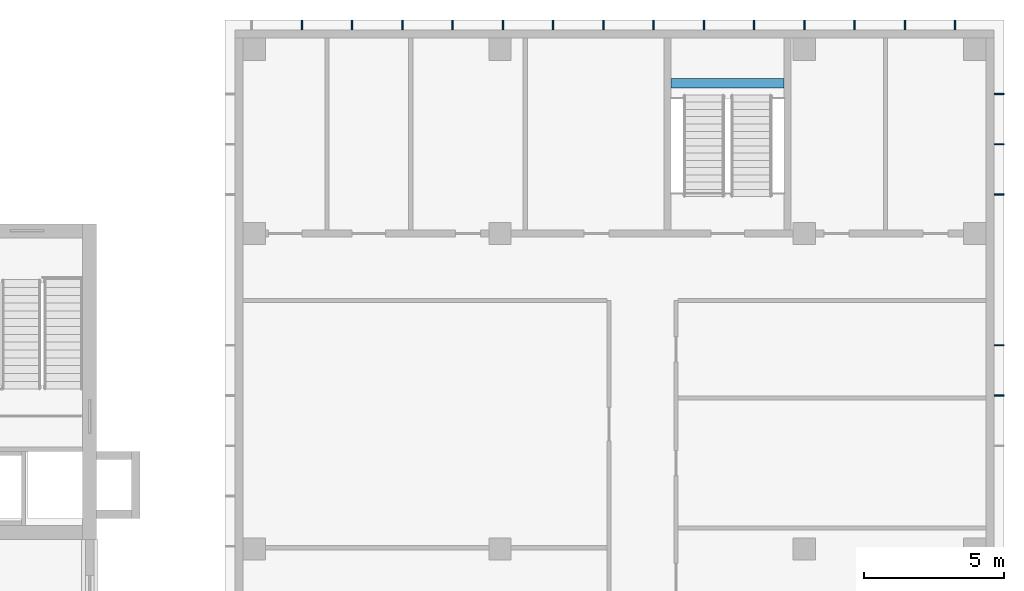
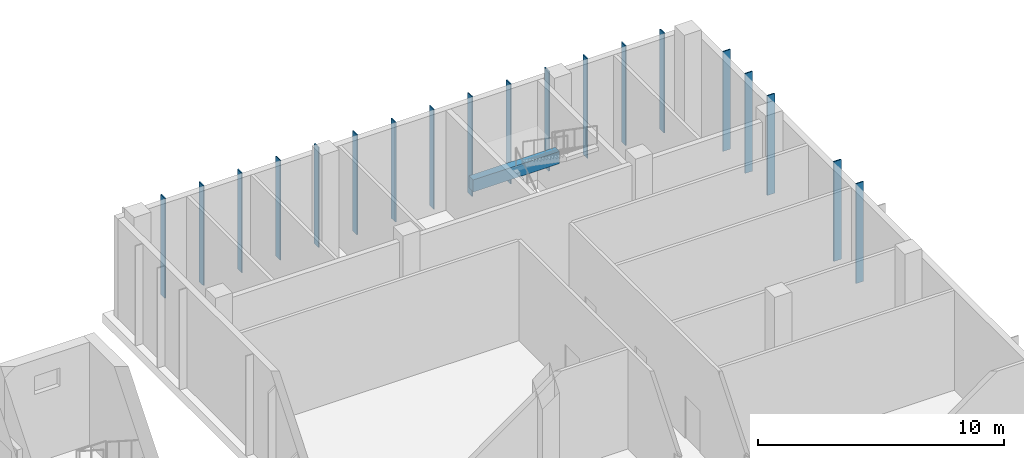
# One storey, part 13 of 33: 19 members, 1 beam.
"""IFC4 building model written with IfcOpenShell, lengths in metres."""

from ifc_helpers import new_model, si_unit, direction, frame, origin, origin_2d, place, context, subcontext, project, spatial, rectangle, extrude, material, material_profile, profile_set, type_object, element, save


model = new_model("IFC4")

# Units and contexts
model_context = context("Model", 3, precision=1e-05, world=origin(), true_north=direction((0.0, 1.0)))
body_context = subcontext(model_context, "Body", "Model", "MODEL_VIEW")
ifc_project = project(units=[si_unit("LENGTHUNIT", "METRE"), si_unit("AREAUNIT", "SQUARE_METRE"), si_unit("VOLUMEUNIT", "CUBIC_METRE"), si_unit("PLANEANGLEUNIT", "RADIAN"), si_unit("MASSUNIT", "GRAM", prefix="KILO")], contexts=[model_context])

# Site, building, storey
site_placement = place(None, origin())
site = spatial("IfcSite", under=ifc_project, at=site_placement, CompositionType="ELEMENT")
building_placement = place(site_placement, origin())
building = spatial("IfcBuilding", under=site, at=building_placement, Name="Basin Gate Institute", CompositionType="ELEMENT")
storey_placement = place(building_placement, frame((0.0, 0.0, 6.0)))
storey = spatial("IfcBuildingStorey", under=building, at=storey_placement, Name="L01", CompositionType="ELEMENT", Elevation=6.0)

# Beam
ifc_material_1 = material(Name="Concrete 40 MPa", Category="concrete")
ifc_material_profile_1 = material_profile(ifc_material_1, rectangle(XDim=0.35009765625, YDim=0.60009765625, at=origin_2d()), Name="Beam B4 350 x 600")
ifc_profile_set_1 = profile_set([ifc_material_profile_1], Name="Concrete 40 MPa")
beam_type = type_object("IfcBeamType", Name="Beam B4 R180", PredefinedType="BEAM", material=ifc_profile_set_1)
beam_placement = place(storey_placement, frame((139.625, 105.183837890625, 2.199951171875), z_axis=(1.0, 0.0, 0.0), x_axis=(0.0, 1.0, 0.0)))
element("IfcBeam", 1, at=beam_placement, inside=storey, type_object=beam_type, material=ifc_profile_set_1, Name="Stair landing beam ST-C6 L01", PredefinedType="BEAM", context=body_context, shape_type="SweptSolid", body=[
    extrude(rectangle(XDim=0.35009765625, YDim=0.60009765625, at=origin_2d()), origin(), (0.0, 0.0, 1.0), 4.050048828125),
])

# Members
ifc_material_2 = material(Name="Anodised aluminium", Category="aluminium")
ifc_material_profile_2 = material_profile(ifc_material_2, rectangle(XDim=0.050048828125, YDim=0.35009765625, at=origin_2d()), Name="Louvre fin CF1 50 x 350")
ifc_profile_set_2 = profile_set([ifc_material_profile_2], Name="Anodised aluminium")
member_type = type_object("IfcMemberType", Name="Louvre fin CF1", PredefinedType="PLATE", material=ifc_profile_set_2)
for number, where, z_axis, x_axis, name in (
    (2, (126.39990234375, 107.27490234375, 0.0), (0.0, 0.0, 1.0), (1.0, 0.0, 0.0), "Louvre fin CF1 N2 L01"),
    (3, (128.199951171875, 107.27490234375, 0.0), (0.0, 0.0, 1.0), (1.0, 0.0, 0.0), "Louvre fin CF1 N3 L01"),
    (4, (130.0, 107.27490234375, 0.0), (0.0, 0.0, 1.0), (1.0, 0.0, 0.0), "Louvre fin CF1 N4 L01"),
    (5, (131.800048828125, 107.27490234375, 0.0), (0.0, 0.0, 1.0), (1.0, 0.0, 0.0), "Louvre fin CF1 N5 L01"),
    (6, (133.60009765625, 107.27490234375, 0.0), (0.0, 0.0, 1.0), (1.0, 0.0, 0.0), "Louvre fin CF1 N6 L01"),
    (7, (135.39990234375, 107.27490234375, 0.0), (0.0, 0.0, 1.0), (1.0, 0.0, 0.0), "Louvre fin CF1 N7 L01"),
    (8, (137.199951171875, 107.27490234375, 0.0), (0.0, 0.0, 1.0), (1.0, 0.0, 0.0), "Louvre fin CF1 N8 L01"),
    (9, (139.0, 107.27490234375, 0.0), (0.0, 0.0, 1.0), (1.0, 0.0, 0.0), "Louvre fin CF1 N9 L01"),
    (10, (140.800048828125, 107.27490234375, 0.0), (0.0, 0.0, 1.0), (1.0, 0.0, 0.0), "Louvre fin CF1 N10 L01"),
    (11, (142.60009765625, 107.27490234375, 0.0), (0.0, 0.0, 1.0), (1.0, 0.0, 0.0), "Louvre fin CF1 N11 L01"),
    (12, (144.39990234375, 107.27490234375, 0.0), (0.0, 0.0, 1.0), (1.0, 0.0, 0.0), "Louvre fin CF1 N12 L01"),
    (13, (146.199951171875, 107.27490234375, 0.0), (0.0, 0.0, 1.0), (1.0, 0.0, 0.0), "Louvre fin CF1 N13 L01"),
    (14, (148.0, 107.27490234375, 0.0), (0.0, 0.0, 1.0), (1.0, 0.0, 0.0), "Louvre fin CF1 N14 L01"),
    (15, (149.800048828125, 107.27490234375, 0.0), (0.0, 0.0, 1.0), (1.0, 0.0, 0.0), "Louvre fin CF1 N15 L01"),
    (16, (151.375, 94.0, 0.0), (0.0, 0.0, 1.0), (0.0, 1.0, 0.0), "Louvre fin CF1 E14 L01"),
    (17, (151.375, 95.800048828125, 0.0), (0.0, 0.0, 1.0), (0.0, 1.0, 0.0), "Louvre fin CF1 E15 L01"),
    (18, (151.375, 101.199951171875, 0.0), (0.0, 0.0, 1.0), (0.0, 1.0, 0.0), "Louvre fin CF1 E18 L01"),
    (19, (151.375, 103.0, 0.0), (0.0, 0.0, 1.0), (0.0, 1.0, 0.0), "Louvre fin CF1 E19 L01"),
    (20, (151.375, 104.800048828125, 0.0), (0.0, 0.0, 1.0), (0.0, 1.0, 0.0), "Louvre fin CF1 E20 L01"),
):
    element("IfcMember", number, at=place(storey_placement, frame(where, z_axis=z_axis, x_axis=x_axis)), inside=storey, type_object=member_type, material=ifc_profile_set_2, Name=name, PredefinedType="PLATE", context=body_context, shape_type="SweptSolid", body=[
        extrude(rectangle(XDim=0.050048828125, YDim=0.35009765625, at=origin_2d()), origin(), (0.0, 0.0, 1.0), 4.949951171875),
    ])

save(model, "model.ifc")
